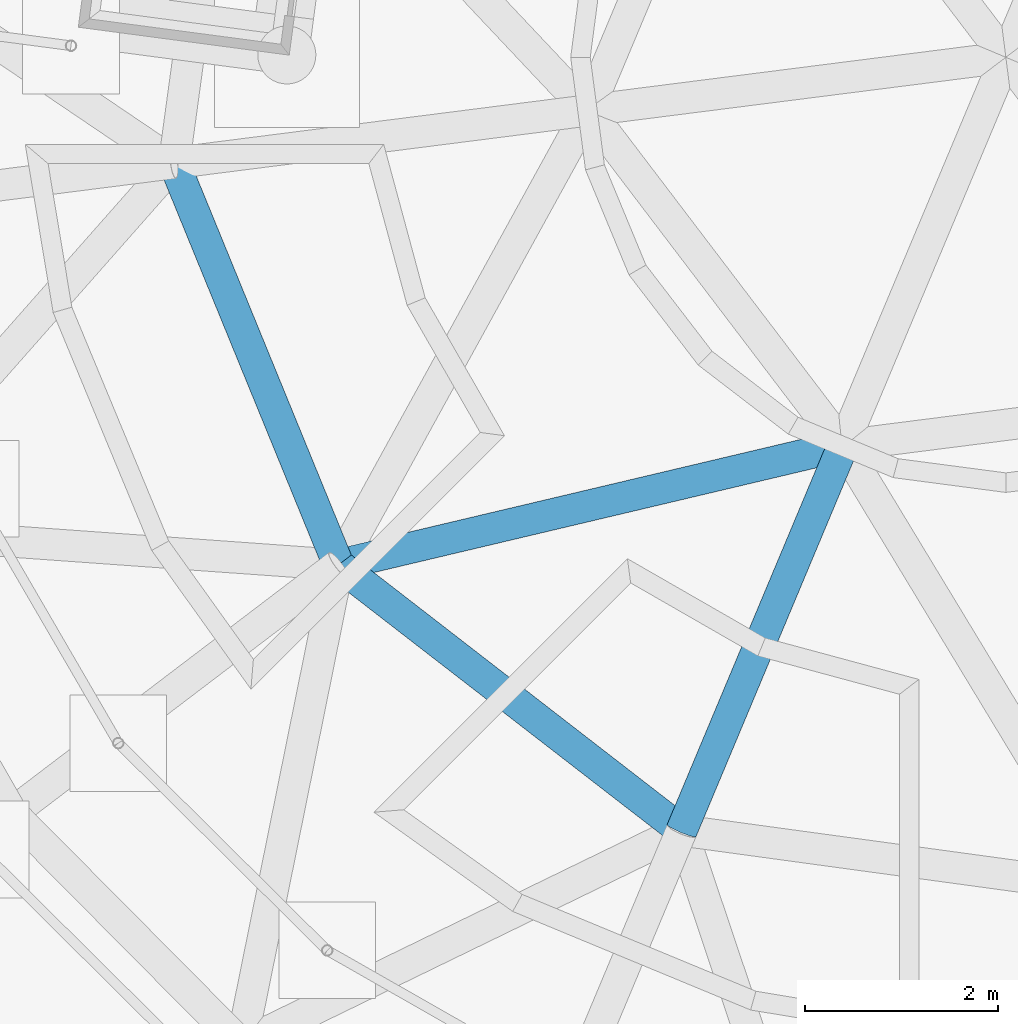
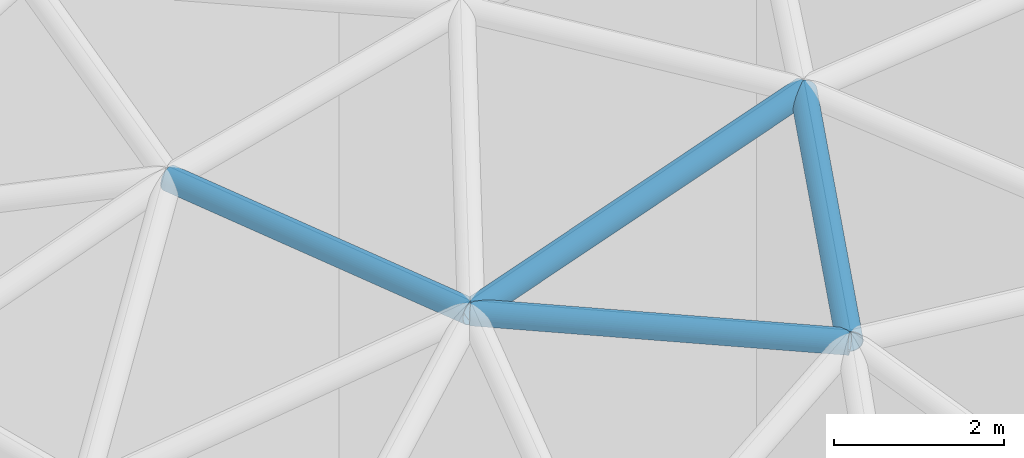
# One storey, part 78 of 226: 4 members.
"""IFC4 building model written with IfcOpenShell, lengths in metres."""

from ifc_helpers import new_model, si_unit, direction, frame, origin, origin_2d, place, context, subcontext, project, spatial, hollow_circle, extrude, material, material_profile, profile_set, type_object, element, save


model = new_model("IFC4")

# Units and contexts
model_context = context("Model", 3, precision=1e-05, world=origin(), true_north=direction((0.0, 1.0)))
body_context = subcontext(model_context, "Body", "Model", "MODEL_VIEW")
ifc_project = project(units=[si_unit("LENGTHUNIT", "METRE"), si_unit("AREAUNIT", "SQUARE_METRE"), si_unit("VOLUMEUNIT", "CUBIC_METRE"), si_unit("PLANEANGLEUNIT", "RADIAN"), si_unit("MASSUNIT", "GRAM", prefix="KILO")], contexts=[model_context])

# Site, building, storey
site_placement = place(None, origin())
site = spatial("IfcSite", under=ifc_project, at=site_placement, CompositionType="ELEMENT")
building_placement = place(site_placement, origin())
building = spatial("IfcBuilding", under=site, at=building_placement, Name="Ceibo Conservatory and Research Tower", CompositionType="ELEMENT")
storey_placement = place(building_placement, origin())
storey = spatial("IfcBuildingStorey", under=building, at=storey_placement, Name="L00", CompositionType="ELEMENT", Elevation=0.0)

# Members
ifc_material = material(Name="Steel ASTM A500 Gr C", Category="steel")
ifc_material_profile_1 = material_profile(ifc_material, hollow_circle(Radius=0.161865234375, WallThickness=0.00634765625, at=origin_2d()), Name="CHS 323.9x6.35")
ifc_profile_set_1 = profile_set([ifc_material_profile_1], Name="Steel ASTM A500 Gr C")
member_type_1 = type_object("IfcMemberType", Name="CHS 323.9x6.35", PredefinedType="NOTDEFINED", material=ifc_profile_set_1)
member_1_placement = place(storey_placement, frame((147.39794921875, 106.906005859375, 26.18994140625), z_axis=(0.378664608666, -0.925533961637, 0.0), x_axis=(0.925533961637, 0.378664608666, 0.0)))
element("IfcMember", 1, at=member_1_placement, inside=storey, type_object=member_type_1, Name="Gridshell member A-C10-07", PredefinedType="CHORD", context=body_context, shape_type="SweptSolid", body=[
    extrude(hollow_circle(Radius=0.161865234375, WallThickness=0.00634765625, at=origin_2d()), origin(), (0.0, 0.0, 1.0), 4.4892578125),
])
member_2_placement = place(storey_placement, frame((149.097900390625, 102.7509765625, 26.18994140625), z_axis=(0.790788259184, -0.612089804797, 0.0), x_axis=(0.612089804797, 0.790788259184, 0.0)))
element("IfcMember", 2, at=member_2_placement, inside=storey, type_object=member_type_1, Name="Gridshell member A-C10-08", PredefinedType="CHORD", context=body_context, shape_type="SweptSolid", body=[
    extrude(hollow_circle(Radius=0.161865234375, WallThickness=0.00634765625, at=origin_2d()), origin(), (0.0, 0.0, 1.0), 4.488037109375),
])
member_3_placement = place(storey_placement, frame((149.097900390625, 102.7509765625, 26.18994140625), z_axis=(0.966972102511, 0.228701819033, 0.112518580403), x_axis=(-0.230163444164, 0.973151986573, 0.0)))
element("IfcMember", 3, at=member_3_placement, inside=storey, type_object=member_type_1, Name="Gridshell diagonal member A-D10-09", PredefinedType="BRACE", context=body_context, shape_type="SweptSolid", body=[
    extrude(hollow_circle(Radius=0.161865234375, WallThickness=0.00634765625, at=origin_2d()), origin(), (0.0, 0.0, 1.0), 5.396240234375),
])
ifc_material_profile_2 = material_profile(ifc_material, hollow_circle(Radius=0.161865234375, WallThickness=0.00830078125, at=origin_2d()), Name="CHS 323.9x8.38")
ifc_profile_set_2 = profile_set([ifc_material_profile_2], Name="Steel ASTM A500 Gr C")
member_type_2 = type_object("IfcMemberType", Name="CHS 323.9x8.38", PredefinedType="NOTDEFINED", material=ifc_profile_set_2)
member_4_placement = place(storey_placement, frame((152.64697265625, 100.00390625, 26.18994140625), z_axis=(0.382841955898, 0.91325391674, 0.139281442996), x_axis=(-0.922243171985, 0.386610309909, 0.0)))
element("IfcMember", 4, at=member_4_placement, inside=storey, type_object=member_type_2, Name="Gridshell member A-M09-10", PredefinedType="RAFTER", context=body_context, shape_type="SweptSolid", body=[
    extrude(hollow_circle(Radius=0.161865234375, WallThickness=0.00830078125, at=origin_2d()), origin(), (0.0, 0.0, 1.0), 4.359375),
])

save(model, "model.ifc")
